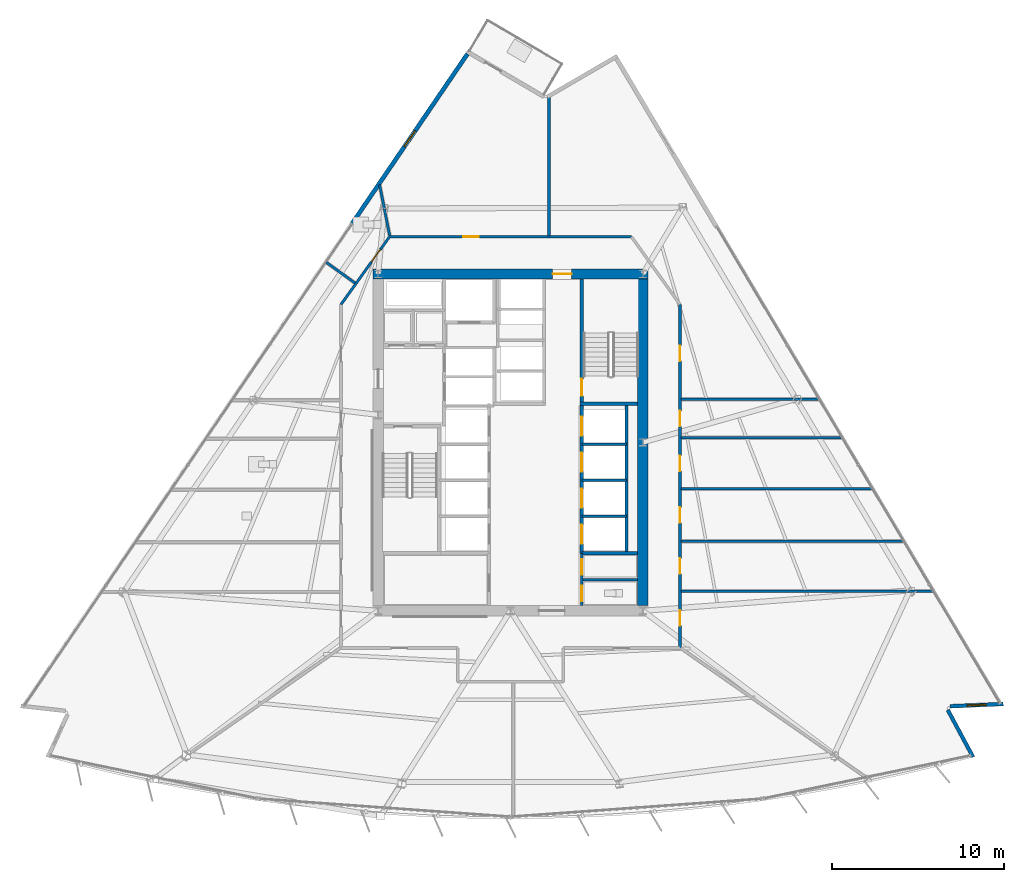
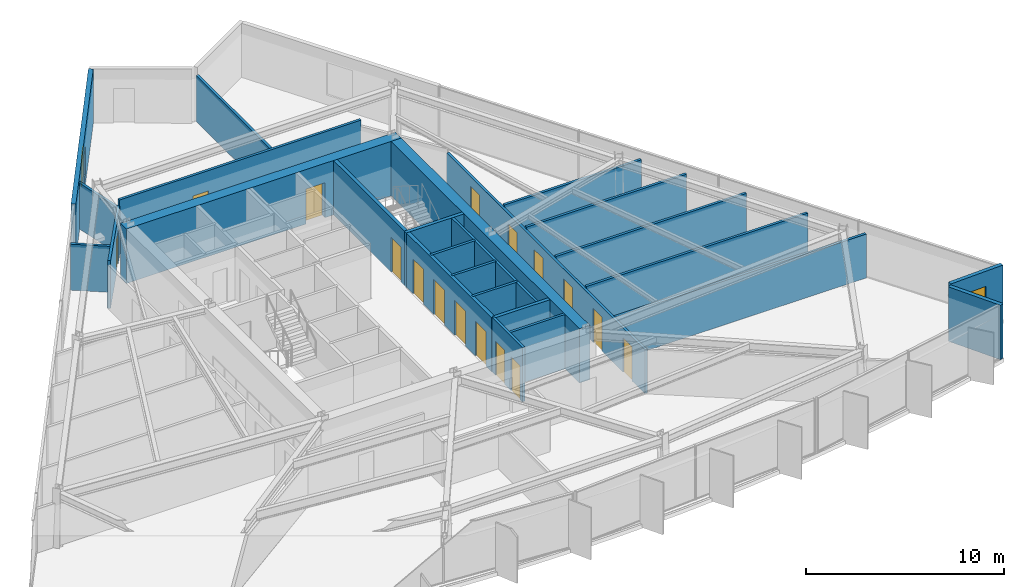
# One storey, part 9 of 15: 26 walls, 16 doors, 2 windows, 18 openings.
"""IFC4 building model written with IfcOpenShell, lengths in metres."""

from ifc_helpers import new_model, si_unit, direction, frame, frame_2d, origin, place, context, subcontext, project, spatial, rectangle, extrude, material, layer, layer_set, type_object, element, fill, save


model = new_model("IFC4")

# Units and contexts
model_context = context("Model", 3, precision=1e-05, world=origin(), true_north=direction((0.0, 1.0)))
body_context = subcontext(model_context, "Body", "Model", "MODEL_VIEW")
ifc_project = project(units=[si_unit("LENGTHUNIT", "METRE"), si_unit("AREAUNIT", "SQUARE_METRE"), si_unit("VOLUMEUNIT", "CUBIC_METRE"), si_unit("PLANEANGLEUNIT", "RADIAN"), si_unit("MASSUNIT", "GRAM", prefix="KILO")], contexts=[model_context])

# Site, building, storey
site_placement = place(None, origin())
site = spatial("IfcSite", under=ifc_project, at=site_placement, CompositionType="ELEMENT")
building_placement = place(site_placement, origin())
building = spatial("IfcBuilding", under=site, at=building_placement, Name="Savorim Split Tower", CompositionType="ELEMENT")
storey_placement = place(building_placement, frame((0.0, 0.0, 100.5)))
storey = spatial("IfcBuildingStorey", under=building, at=storey_placement, Name="L26", CompositionType="ELEMENT", Elevation=100.5)

# Wall, opening, door
ifc_material_1 = material(Name="Concrete C60/75", Category="concrete")
ifc_layer_1 = layer(ifc_material_1, 0.60009765625)
ifc_layer_set_1 = layer_set([ifc_layer_1], Name="WAL-COR-SH600")
wall_type_1 = type_object("IfcWallType", Name="WAL-COR-SH600", PredefinedType="SHEAR", material=ifc_layer_set_1)
wall_1_placement = place(storey_placement, frame((8.0, 10.199951171875, 0.0), z_axis=(0.0, 0.0, 1.0), x_axis=(-1.0, 0.0, 0.0)))
wall_1 = element("IfcWall", 1, at=wall_1_placement, inside=storey, type_object=wall_type_1, Name="L26 Offset Core North Shear Wall", PredefinedType="SHEAR", context=body_context, shape_type="SweptSolid", body=[
    extrude(rectangle(XDim=16.0, YDim=0.60009765625, at=frame_2d((8.0, 0.0))), origin(), (0.0, 0.0, 1.0), 3.35009765625),
])
opening_1_placement = place(wall_1_placement, frame((4.449951171875, 0.0, 0.0)))
opening_1 = element("IfcOpeningElement", 2, at=opening_1_placement, cuts=wall_1, Name="Opening DI-03", PredefinedType="OPENING", context=body_context, shape_type="SweptSolid", body=[
    extrude(rectangle(XDim=1.10009765625, YDim=2.14990234375, at=frame_2d((0.550048828125, 1.074951171875))), frame((0.0, 0.31005859375, 0.0), z_axis=(0.0, -1.0, 0.0), x_axis=(1.0, 0.0, 0.0)), (0.0, 0.0, 1.0), 0.6201171875),
])
ifc_material_2 = material(Name="Timber Fire Door Leaf", Category="wood")
door_type_1 = type_object("IfcDoorType", Name="DOR-FIR-1100", OperationType="NOTDEFINED", PredefinedType="DOOR", material=ifc_material_2)
door_1_placement = place(opening_1_placement, origin())
door_1 = element("IfcDoor", 3, at=door_1_placement, inside=storey, type_object=door_type_1, Name="DOR-L26-COR-NLOB - L26 North Corridor Lobby Fire Door", OperationType="SINGLE_SWING_LEFT", OverallHeight=2.14990234375, OverallWidth=1.10009765625, PredefinedType="DOOR", context=body_context, shape_type="SweptSolid", body=[
    extrude(rectangle(XDim=1.10009765625, YDim=2.14990234375, at=frame_2d((0.550048828125, 1.074951171875))), frame((0.0, 0.02490234375, 0.0), z_axis=(0.0, -1.0, 0.0), x_axis=(1.0, 0.0, 0.0)), (0.0, 0.0, 1.0), 0.050048828125),
])
fill(opening_1, door_1)

# Walls
wall_2_placement = place(storey_placement, frame((7.699951171875, 9.89990234375, 0.0), z_axis=(0.0, 0.0, 1.0), x_axis=(0.0, -1.0, 0.0)))
element("IfcWall", 4, at=wall_2_placement, inside=storey, type_object=wall_type_1, Name="L26 Offset Core East Shear Wall", PredefinedType="SHEAR", context=body_context, shape_type="SweptSolid", body=[
    extrude(rectangle(XDim=19.0, YDim=0.60009765625, at=frame_2d((9.5, 0.0))), origin(), (0.0, 0.0, 1.0), 3.35009765625),
])
ifc_material_3 = material(Name="Precast concrete C40/50", Category="concrete")
ifc_layer_2 = layer(ifc_material_3, 0.219970703125)
ifc_layer_set_2 = layer_set([ifc_layer_2], Name="WAL-EXT-CRN220")
wall_type_2 = type_object("IfcWallType", Name="WAL-EXT-CRN220", PredefinedType="SOLIDWALL", material=ifc_layer_set_2)
wall_3_placement = place(storey_placement, frame((25.44189453125, -15.164794921875, 0.0), z_axis=(0.0, 0.0, 1.0), x_axis=(0.472811757317, -0.881163459378, 0.0)))
element("IfcWall", 5, at=wall_3_placement, inside=storey, type_object=wall_type_2, Name="L26 Notched Corner Facade Wall SE1", PredefinedType="SOLIDWALL", context=body_context, shape_type="SweptSolid", body=[
    extrude(rectangle(XDim=3.109619140625, YDim=0.219970703125, at=frame_2d((1.5546875, 0.0))), origin(), (0.0, 0.0, 1.0), 3.35009765625),
])

# Wall, opening, window
wall_4_placement = place(storey_placement, frame((28.667236328125, -14.819091796875, 0.0), z_axis=(0.0, 0.0, 1.0), x_axis=(-0.99909228571, -0.042598176436, 0.0)))
wall_4 = element("IfcWall", 6, at=wall_4_placement, inside=storey, type_object=wall_type_2, Name="L26 Notched Corner Facade Wall SE", PredefinedType="SOLIDWALL", context=body_context, shape_type="SweptSolid", body=[
    extrude(rectangle(XDim=3.1064453125, YDim=0.219970703125, at=frame_2d((1.55322265625, 0.0))), origin(), (0.0, 0.0, 1.0), 3.35009765625),
])
opening_2_placement = place(wall_4_placement, frame((1.003173828125, 0.0, 0.6201171875)))
opening_2 = element("IfcOpeningElement", 7, at=opening_2_placement, cuts=wall_4, Name="Opening WN-09", PredefinedType="OPENING", context=body_context, shape_type="SweptSolid", body=[
    extrude(rectangle(XDim=1.10009765625, YDim=1.800048828125, at=frame_2d((0.550048828125, 0.89990234375))), frame((0.0, 0.119873046875, 0.0), z_axis=(0.0, -1.0, 0.0), x_axis=(1.0, 0.0, 0.0)), (0.0, 0.0, 1.0), 0.239990234375),
])
ifc_material_4 = material(Name="Low-E Operable Double Glazing", Category="glass")
window_type = type_object("IfcWindowType", Name="WIN-TWR-1100x1800", PartitioningType="SINGLE_PANEL", PredefinedType="WINDOW", material=ifc_material_4)
window_1_placement = place(opening_2_placement, origin())
window_1 = element("IfcWindow", 8, at=window_1_placement, inside=storey, type_object=window_type, Name="L26 Operable Corner Window SE", OverallHeight=1.800048828125, OverallWidth=1.10009765625, PartitioningType="SINGLE_PANEL", PredefinedType="WINDOW", context=body_context, shape_type="SweptSolid", body=[
    extrude(rectangle(XDim=1.10009765625, YDim=1.800048828125, at=frame_2d((0.550048828125, 0.89990234375))), frame((0.0, 0.030029296875, 0.0), z_axis=(0.0, -1.0, 0.0), x_axis=(1.0, 0.0, 0.0)), (0.0, 0.0, 1.0), 0.06005859375),
])
fill(opening_2, window_1)

ifc_layer_3 = layer(ifc_material_3, 0.25)
ifc_layer_set_3 = layer_set([ifc_layer_3], Name="WAL-EXT-SPN250")
wall_type_3 = type_object("IfcWallType", Name="WAL-EXT-SPN250", PredefinedType="SOLIDWALL", material=ifc_layer_set_3)
wall_5_placement = place(storey_placement, frame((-9.21728515625, 13.135986328125, 0.0), z_axis=(0.0, 0.0, 1.0), x_axis=(0.562468998305, 0.826818375428, 0.0)))
wall_5 = element("IfcWall", 9, at=wall_5_placement, inside=storey, type_object=wall_type_3, Name="L26 West Operable Window Pier", PredefinedType="SOLIDWALL", context=body_context, shape_type="SweptSolid", body=[
    extrude(rectangle(XDim=11.9287109375, YDim=0.25, at=frame_2d((5.96435546875, 0.0))), origin(), (0.0, 0.0, 1.0), 3.35009765625),
])
opening_3_placement = place(wall_5_placement, frame((5.414306640625, 0.0, 0.6201171875)))
opening_3 = element("IfcOpeningElement", 10, at=opening_3_placement, cuts=wall_5, Name="Opening WN-09", PredefinedType="OPENING", context=body_context, shape_type="SweptSolid", body=[
    extrude(rectangle(XDim=1.10009765625, YDim=1.800048828125, at=frame_2d((0.550048828125, 0.89990234375))), frame((0.0, 0.135009765625, 0.0), z_axis=(0.0, -1.0, 0.0), x_axis=(1.0, 0.0, 0.0)), (0.0, 0.0, 1.0), 0.27001953125),
])
window_2_placement = place(opening_3_placement, origin())
window_2 = element("IfcWindow", 11, at=window_2_placement, inside=storey, type_object=window_type, Name="L26 West Operable Ventilation Window", OverallHeight=1.800048828125, OverallWidth=1.10009765625, PartitioningType="SINGLE_PANEL", PredefinedType="WINDOW", context=body_context, shape_type="SweptSolid", body=[
    extrude(rectangle(XDim=1.10009765625, YDim=1.800048828125, at=frame_2d((0.550048828125, 0.89990234375))), frame((0.0, 0.030029296875, 0.0), z_axis=(0.0, -1.0, 0.0), x_axis=(1.0, 0.0, 0.0)), (0.0, 0.0, 1.0), 0.06005859375),
])
fill(opening_3, window_2)

# Wall, opening, door
ifc_material_5 = material(Name="Concrete C50/60", Category="concrete")
ifc_layer_4 = layer(ifc_material_5, 0.199951171875)
ifc_layer_set_4 = layer_set([ifc_layer_4], Name="WAL-INT-RC200")
wall_type_4 = type_object("IfcWallType", Name="WAL-INT-RC200", PredefinedType="SOLIDWALL", material=ifc_layer_set_4)
wall_6_placement = place(storey_placement, frame((4.14990234375, 2.75, 0.0), z_axis=(0.0, 0.0, 1.0), x_axis=(0.0, 1.0, 0.0)))
wall_6 = element("IfcWall", 12, at=wall_6_placement, inside=storey, type_object=wall_type_4, Name="L26 Structural Shaft Wall W-L26-CR07", PredefinedType="SOLIDWALL", context=body_context, shape_type="SweptSolid", body=[
    extrude(rectangle(XDim=7.14990234375, YDim=0.199951171875, at=frame_2d((3.574951171875, 0.0))), origin(), (0.0, 0.0, 1.0), 3.35009765625),
])
opening_4_placement = place(wall_6_placement, frame((0.35009765625, 0.0, 0.0)))
opening_4 = element("IfcOpeningElement", 13, at=opening_4_placement, cuts=wall_6, Name="Opening DI-04", PredefinedType="OPENING", context=body_context, shape_type="SweptSolid", body=[
    extrude(rectangle(XDim=1.0, YDim=2.14990234375, at=frame_2d((0.5, 1.074951171875))), frame((0.0, 0.10986328125, 0.0), z_axis=(0.0, -1.0, 0.0), x_axis=(1.0, 0.0, 0.0)), (0.0, 0.0, 1.0), 0.219970703125),
])
door_type_2 = type_object("IfcDoorType", Name="DOR-FIR-1000", OperationType="NOTDEFINED", PredefinedType="DOOR", material=ifc_material_2)
door_2_placement = place(opening_4_placement, origin())
door_2 = element("IfcDoor", 14, at=door_2_placement, inside=storey, type_object=door_type_2, Name="DR-L26-ST2 - L26 Stair ST-2 Enclosure Door", OperationType="SINGLE_SWING_RIGHT", OverallHeight=2.14990234375, OverallWidth=1.0, PredefinedType="DOOR", context=body_context, shape_type="SweptSolid", body=[
    extrude(rectangle(XDim=1.0, YDim=2.14990234375, at=frame_2d((0.5, 1.074951171875))), frame((0.0, 0.02490234375, 0.0), z_axis=(0.0, -1.0, 0.0), x_axis=(1.0, 0.0, 0.0)), (0.0, 0.0, 1.0), 0.050048828125),
])
fill(opening_4, door_2)

# Wall
wall_7_placement = place(storey_placement, frame((4.050048828125, 2.64990234375, 0.0), z_axis=(0.0, 0.0, 1.0), x_axis=(1.0, 0.0, 0.0)))
element("IfcWall", 15, at=wall_7_placement, inside=storey, type_object=wall_type_4, Name="L26 Structural Shaft Wall W-L26-CR08", PredefinedType="SOLIDWALL", context=body_context, shape_type="SweptSolid", body=[
    extrude(rectangle(XDim=3.349853515625, YDim=0.199951171875, at=frame_2d((1.6748046875, 0.0))), origin(), (0.0, 0.0, 1.0), 3.35009765625),
])

# Wall, openings, doors
wall_8_placement = place(storey_placement, frame((4.14990234375, -6.050048828125, 0.0), z_axis=(0.0, 0.0, 1.0), x_axis=(0.0, 1.0, 0.0)))
wall_8 = element("IfcWall", 16, at=wall_8_placement, inside=storey, type_object=wall_type_4, Name="L26 Partition W-L26-B1FRONT", PredefinedType="SOLIDWALL", context=body_context, shape_type="SweptSolid", body=[
    extrude(rectangle(XDim=8.699951171875, YDim=0.199951171875, at=frame_2d((4.35009765625, 0.0))), origin(), (0.0, 0.0, 1.0), 3.35009765625),
])
opening_5_placement = place(wall_8_placement, frame((0.550048828125, 0.0, 0.0)))
opening_5 = element("IfcOpeningElement", 17, at=opening_5_placement, cuts=wall_8, Name="Opening LD-01", PredefinedType="OPENING", context=body_context, shape_type="SweptSolid", body=[
    extrude(rectangle(XDim=1.10009765625, YDim=2.14990234375, at=frame_2d((0.550048828125, 1.074951171875))), frame((0.0, 0.10986328125, 0.0), z_axis=(0.0, -1.0, 0.0), x_axis=(1.0, 0.0, 0.0)), (0.0, 0.0, 1.0), 0.219970703125),
])
opening_6_placement = place(wall_8_placement, frame((2.64990234375, 0.0, 0.0)))
opening_6 = element("IfcOpeningElement", 18, at=opening_6_placement, cuts=wall_8, Name="Opening LD-01", PredefinedType="OPENING", context=body_context, shape_type="SweptSolid", body=[
    extrude(rectangle(XDim=1.10009765625, YDim=2.14990234375, at=frame_2d((0.550048828125, 1.074951171875))), frame((0.0, 0.10986328125, 0.0), z_axis=(0.0, -1.0, 0.0), x_axis=(1.0, 0.0, 0.0)), (0.0, 0.0, 1.0), 0.219970703125),
])
opening_7_placement = place(wall_8_placement, frame((4.75, 0.0, 0.0)))
opening_7 = element("IfcOpeningElement", 19, at=opening_7_placement, cuts=wall_8, Name="Opening LD-01", PredefinedType="OPENING", context=body_context, shape_type="SweptSolid", body=[
    extrude(rectangle(XDim=1.10009765625, YDim=2.14990234375, at=frame_2d((0.550048828125, 1.074951171875))), frame((0.0, 0.10986328125, 0.0), z_axis=(0.0, -1.0, 0.0), x_axis=(1.0, 0.0, 0.0)), (0.0, 0.0, 1.0), 0.219970703125),
])
opening_8_placement = place(wall_8_placement, frame((6.85009765625, 0.0, 0.0)))
opening_8 = element("IfcOpeningElement", 20, at=opening_8_placement, cuts=wall_8, Name="Opening LD-01", PredefinedType="OPENING", context=body_context, shape_type="SweptSolid", body=[
    extrude(rectangle(XDim=1.10009765625, YDim=2.14990234375, at=frame_2d((0.550048828125, 1.074951171875))), frame((0.0, 0.10986328125, 0.0), z_axis=(0.0, -1.0, 0.0), x_axis=(1.0, 0.0, 0.0)), (0.0, 0.0, 1.0), 0.219970703125),
])
ifc_material_6 = material(Name="Charcoal Anodised Aluminium", Category="aluminium")
door_type_3 = type_object("IfcDoorType", Name="DOR-SLD-LD1100", OperationType="NOTDEFINED", PredefinedType="DOOR", material=ifc_material_6)
door_3_placement = place(opening_5_placement, origin())
door_3 = element("IfcDoor", 21, at=door_3_placement, inside=storey, type_object=door_type_3, Name="DR-L26-LD-PLL1 - L26 Lift PL-L1 Sliding Landing Door", OperationType="DOUBLE_DOOR_SLIDING", OverallHeight=2.14990234375, OverallWidth=1.10009765625, PredefinedType="DOOR", context=body_context, shape_type="SweptSolid", body=[
    extrude(rectangle(XDim=1.10009765625, YDim=2.14990234375, at=frame_2d((0.550048828125, 1.074951171875))), frame((0.0, 0.02490234375, 0.0), z_axis=(0.0, -1.0, 0.0), x_axis=(1.0, 0.0, 0.0)), (0.0, 0.0, 1.0), 0.050048828125),
])
fill(opening_5, door_3)
door_4_placement = place(opening_6_placement, origin())
door_4 = element("IfcDoor", 22, at=door_4_placement, inside=storey, type_object=door_type_3, Name="DR-L26-LD-PLL2 - L26 Lift PL-L2 Sliding Landing Door", OperationType="DOUBLE_DOOR_SLIDING", OverallHeight=2.14990234375, OverallWidth=1.10009765625, PredefinedType="DOOR", context=body_context, shape_type="SweptSolid", body=[
    extrude(rectangle(XDim=1.10009765625, YDim=2.14990234375, at=frame_2d((0.550048828125, 1.074951171875))), frame((0.0, 0.02490234375, 0.0), z_axis=(0.0, -1.0, 0.0), x_axis=(1.0, 0.0, 0.0)), (0.0, 0.0, 1.0), 0.050048828125),
])
fill(opening_6, door_4)
door_5_placement = place(opening_7_placement, origin())
door_5 = element("IfcDoor", 23, at=door_5_placement, inside=storey, type_object=door_type_3, Name="DR-L26-LD-PLL3 - L26 Lift PL-L3 Sliding Landing Door", OperationType="DOUBLE_DOOR_SLIDING", OverallHeight=2.14990234375, OverallWidth=1.10009765625, PredefinedType="DOOR", context=body_context, shape_type="SweptSolid", body=[
    extrude(rectangle(XDim=1.10009765625, YDim=2.14990234375, at=frame_2d((0.550048828125, 1.074951171875))), frame((0.0, 0.02490234375, 0.0), z_axis=(0.0, -1.0, 0.0), x_axis=(1.0, 0.0, 0.0)), (0.0, 0.0, 1.0), 0.050048828125),
])
fill(opening_7, door_5)
door_6_placement = place(opening_8_placement, origin())
door_6 = element("IfcDoor", 24, at=door_6_placement, inside=storey, type_object=door_type_3, Name="DR-L26-LD-PLL4 - L26 Lift PL-L4 Sliding Landing Door", OperationType="DOUBLE_DOOR_SLIDING", OverallHeight=2.14990234375, OverallWidth=1.10009765625, PredefinedType="DOOR", context=body_context, shape_type="SweptSolid", body=[
    extrude(rectangle(XDim=1.10009765625, YDim=2.14990234375, at=frame_2d((0.550048828125, 1.074951171875))), frame((0.0, 0.02490234375, 0.0), z_axis=(0.0, -1.0, 0.0), x_axis=(1.0, 0.0, 0.0)), (0.0, 0.0, 1.0), 0.050048828125),
])
fill(opening_8, door_6)

# Walls
wall_9_placement = place(storey_placement, frame((4.14990234375, -6.050048828125, 0.0), z_axis=(0.0, 0.0, 1.0), x_axis=(1.0, 0.0, 0.0)))
element("IfcWall", 25, at=wall_9_placement, inside=storey, type_object=wall_type_4, Name="L26 Partition W-L26-KSEP-E", PredefinedType="SOLIDWALL", context=body_context, shape_type="SweptSolid", body=[
    extrude(rectangle(XDim=3.2451171875, YDim=0.199951171875, at=frame_2d((1.62255859375, 0.0))), origin(), (0.0, 0.0, 1.0), 3.35009765625),
])
ifc_material_7 = material(Name="Acoustic Gypsum Partition Board")
ifc_layer_5 = layer(ifc_material_7, 0.14990234375)
ifc_layer_set_5 = layer_set([ifc_layer_5], Name="WAL-PAR-150")
wall_type_5 = type_object("IfcWallType", Name="WAL-PAR-150", PredefinedType="PARTITIONING", material=ifc_layer_set_5)
wall_10_placement = place(storey_placement, frame((6.75, -6.050048828125, 0.0), z_axis=(0.0, 0.0, 1.0), x_axis=(0.0, 1.0, 0.0)))
element("IfcWall", 26, at=wall_10_placement, inside=storey, type_object=wall_type_5, Name="L26 Partition W-L26-B1BACK", PredefinedType="PARTITIONING", context=body_context, shape_type="SweptSolid", body=[
    extrude(rectangle(XDim=8.699951171875, YDim=0.14990234375, at=frame_2d((4.35009765625, 0.0))), origin(), (0.0, 0.0, 1.0), 3.35009765625),
])
for number, where, z_axis, x_axis, name in (
    (27, (4.14990234375, -3.89990234375, 0.0), (0.0, 0.0, 1.0), (1.0, 0.0, 0.0), "L26 Partition W-L26-B1DIV1"),
    (28, (4.14990234375, -1.800048828125, 0.0), (0.0, 0.0, 1.0), (1.0, 0.0, 0.0), "L26 Partition W-L26-B1DIV2"),
    (29, (4.14990234375, 0.300048828125, 0.0), (0.0, 0.0, 1.0), (1.0, 0.0, 0.0), "L26 Partition W-L26-B1DIV3"),
):
    element("IfcWall", number, at=place(storey_placement, frame(where, z_axis=z_axis, x_axis=x_axis)), inside=storey, type_object=wall_type_5, Name=name, PredefinedType="PARTITIONING", context=body_context, shape_type="SweptSolid", body=[
        extrude(rectangle(XDim=2.60009765625, YDim=0.14990234375, at=frame_2d((1.300048828125, 0.0))), origin(), (0.0, 0.0, 1.0), 3.35009765625),
    ])

# Wall, openings, doors
wall_11_placement = place(storey_placement, frame((4.14990234375, -9.094970703125, 0.0), z_axis=(0.0, 0.0, 1.0), x_axis=(0.0, 1.0, 0.0)))
wall_11 = element("IfcWall", 30, at=wall_11_placement, inside=storey, type_object=wall_type_5, Name="L26 Partition W-L26-KLOB-E", PredefinedType="PARTITIONING", context=body_context, shape_type="SweptSolid", body=[
    extrude(rectangle(XDim=3.044921875, YDim=0.14990234375, at=frame_2d((1.5224609375, 0.0))), origin(), (0.0, 0.0, 1.0), 3.35009765625),
])
opening_9_placement = place(wall_11_placement, frame((0.2451171875, 0.0, 0.0)))
opening_9 = element("IfcOpeningElement", 31, at=opening_9_placement, cuts=wall_11, Name="Opening DI-11", PredefinedType="OPENING", context=body_context, shape_type="SweptSolid", body=[
    extrude(rectangle(XDim=0.89990234375, YDim=2.10009765625, at=frame_2d((0.449951171875, 1.050048828125))), frame((0.0, 0.0849609375, 0.0), z_axis=(0.0, -1.0, 0.0), x_axis=(1.0, 0.0, 0.0)), (0.0, 0.0, 1.0), 0.169921875),
])
opening_10_placement = place(wall_11_placement, frame((1.794921875, 0.0, 0.0)))
opening_10 = element("IfcOpeningElement", 32, at=opening_10_placement, cuts=wall_11, Name="Opening DI-06", PredefinedType="OPENING", context=body_context, shape_type="SweptSolid", body=[
    extrude(rectangle(XDim=0.89990234375, YDim=2.10009765625, at=frame_2d((0.449951171875, 1.050048828125))), frame((0.0, 0.0849609375, 0.0), z_axis=(0.0, -1.0, 0.0), x_axis=(1.0, 0.0, 0.0)), (0.0, 0.0, 1.0), 0.169921875),
])
door_type_4 = type_object("IfcDoorType", Name="DOR-FIR-900", OperationType="NOTDEFINED", PredefinedType="DOOR", material=ifc_material_2)
door_7_placement = place(opening_10_placement, origin())
door_7 = element("IfcDoor", 33, at=door_7_placement, inside=storey, type_object=door_type_4, Name="DR-L26-K3LCK - L26 Cleaning Store Door", OperationType="SINGLE_SWING_LEFT", OverallHeight=2.10009765625, OverallWidth=0.89990234375, PredefinedType="DOOR", context=body_context, shape_type="SweptSolid", body=[
    extrude(rectangle(XDim=0.89990234375, YDim=2.10009765625, at=frame_2d((0.449951171875, 1.050048828125))), frame((0.0, 0.02490234375, 0.0), z_axis=(0.0, -1.0, 0.0), x_axis=(1.0, 0.0, 0.0)), (0.0, 0.0, 1.0), 0.050048828125),
])
fill(opening_10, door_7)
ifc_material_8 = material(Name="Oak Veneer Acoustic Door")
door_type_5 = type_object("IfcDoorType", Name="DOR-WC-900", OperationType="NOTDEFINED", PredefinedType="DOOR", material=ifc_material_8)
door_8_placement = place(opening_9_placement, origin())
door_8 = element("IfcDoor", 34, at=door_8_placement, inside=storey, type_object=door_type_5, Name="DR-L26-K3AWC - L26 Core Accessible WC Door", OperationType="SINGLE_SWING_RIGHT", OverallHeight=2.10009765625, OverallWidth=0.89990234375, PredefinedType="DOOR", context=body_context, shape_type="SweptSolid", body=[
    extrude(rectangle(XDim=0.89990234375, YDim=2.10009765625, at=frame_2d((0.449951171875, 1.050048828125))), frame((0.0, 0.02490234375, 0.0), z_axis=(0.0, -1.0, 0.0), x_axis=(1.0, 0.0, 0.0)), (0.0, 0.0, 1.0), 0.050048828125),
])
fill(opening_9, door_8)

# Wall
wall_12_placement = place(storey_placement, frame((4.14990234375, -7.580078125, 0.0), z_axis=(0.0, 0.0, 1.0), x_axis=(1.0, 0.0, 0.0)))
element("IfcWall", 35, at=wall_12_placement, inside=storey, type_object=wall_type_5, Name="L26 Partition W-L26-K3H", PredefinedType="PARTITIONING", context=body_context, shape_type="SweptSolid", body=[
    extrude(rectangle(XDim=3.2451171875, YDim=0.14990234375, at=frame_2d((1.62255859375, 0.0))), origin(), (0.0, 0.0, 1.0), 3.35009765625),
])

# Wall, opening, door
wall_13_placement = place(storey_placement, frame((-9.860107421875, 8.42578125, 0.0), z_axis=(0.0, 0.0, 1.0), x_axis=(0.582449511476, 0.812866881218, 0.0)))
wall_13 = element("IfcWall", 36, at=wall_13_placement, inside=storey, type_object=wall_type_5, Name="L26 Partition W-L26-COR-02", PredefinedType="PARTITIONING", context=body_context, shape_type="SweptSolid", body=[
    extrude(rectangle(XDim=4.840087890625, YDim=0.14990234375, at=frame_2d((2.419921875, 0.0))), origin(), (0.0, 0.0, 1.0), 2.965087890625),
])
opening_11_placement = place(wall_13_placement, frame((3.046142578125, 0.0, 0.0)))
opening_11 = element("IfcOpeningElement", 37, at=opening_11_placement, cuts=wall_13, Name="Opening DI-11", PredefinedType="OPENING", context=body_context, shape_type="SweptSolid", body=[
    extrude(rectangle(XDim=0.89990234375, YDim=2.10009765625, at=frame_2d((0.449951171875, 1.050048828125))), frame((0.0, 0.0849609375, 0.0), z_axis=(0.0, -1.0, 0.0), x_axis=(1.0, 0.0, 0.0)), (0.0, 0.0, 1.0), 0.169921875),
])
door_9_placement = place(opening_11_placement, origin())
door_9 = element("IfcDoor", 38, at=door_9_placement, inside=storey, type_object=door_type_5, Name="DR-L26-RM14 - L26 Shared Bathroom Entry Door", OperationType="SINGLE_SWING_LEFT", OverallHeight=2.10009765625, OverallWidth=0.89990234375, PredefinedType="DOOR", context=body_context, shape_type="SweptSolid", body=[
    extrude(rectangle(XDim=0.89990234375, YDim=2.10009765625, at=frame_2d((0.449951171875, 1.050048828125))), frame((0.0, 0.02490234375, 0.0), z_axis=(0.0, -1.0, 0.0), x_axis=(1.0, 0.0, 0.0)), (0.0, 0.0, 1.0), 0.050048828125),
])
fill(opening_11, door_9)

wall_14_placement = place(storey_placement, frame((-7.041015625, 12.360107421875, 0.0), z_axis=(0.0, 0.0, 1.0), x_axis=(1.0, 0.0, 0.0)))
wall_14 = element("IfcWall", 39, at=wall_14_placement, inside=storey, type_object=wall_type_5, Name="L26 Partition W-L26-COR-03", PredefinedType="PARTITIONING", context=body_context, shape_type="SweptSolid", body=[
    extrude(rectangle(XDim=14.08203125, YDim=0.14990234375, at=frame_2d((7.041015625, 0.0))), origin(), (0.0, 0.0, 1.0), 3.35009765625),
])
opening_12_placement = place(wall_14_placement, frame((4.28076171875, 0.0, 0.0)))
opening_12 = element("IfcOpeningElement", 40, at=opening_12_placement, cuts=wall_14, Name="Opening DI-06", PredefinedType="OPENING", context=body_context, shape_type="SweptSolid", body=[
    extrude(rectangle(XDim=0.89990234375, YDim=2.10009765625, at=frame_2d((0.449951171875, 1.050048828125))), frame((0.0, 0.0849609375, 0.0), z_axis=(0.0, -1.0, 0.0), x_axis=(1.0, 0.0, 0.0)), (0.0, 0.0, 1.0), 0.169921875),
])
door_10_placement = place(opening_12_placement, origin())
door_10 = element("IfcDoor", 41, at=door_10_placement, inside=storey, type_object=door_type_4, Name="DR-L26-RM13 - L26 Co-Working Commons Entry Door", OperationType="SINGLE_SWING_RIGHT", OverallHeight=2.10009765625, OverallWidth=0.89990234375, PredefinedType="DOOR", context=body_context, shape_type="SweptSolid", body=[
    extrude(rectangle(XDim=0.89990234375, YDim=2.10009765625, at=frame_2d((0.449951171875, 1.050048828125))), frame((0.0, 0.02490234375, 0.0), z_axis=(0.0, -1.0, 0.0), x_axis=(1.0, 0.0, 0.0)), (0.0, 0.0, 1.0), 0.050048828125),
])
fill(opening_12, door_10)

# Wall, openings, doors
wall_15_placement = place(storey_placement, frame((9.860107421875, 8.42578125, 0.0), z_axis=(0.0, 0.0, 1.0), x_axis=(0.0, -1.0, 0.0)))
wall_15 = element("IfcWall", 42, at=wall_15_placement, inside=storey, type_object=wall_type_5, Name="L26 Partition W-L26-COR-05", PredefinedType="PARTITIONING", context=body_context, shape_type="SweptSolid", body=[
    extrude(rectangle(XDim=19.98583984375, YDim=0.14990234375, at=frame_2d((9.992919921875, 0.0))), origin(), (0.0, 0.0, 1.0), 2.705078125),
])
opening_13_placement = place(wall_15_placement, frame((17.79150390625, 0.0, 0.0)))
opening_13 = element("IfcOpeningElement", 43, at=opening_13_placement, cuts=wall_15, Name="Opening DI-06", PredefinedType="OPENING", context=body_context, shape_type="SweptSolid", body=[
    extrude(rectangle(XDim=0.89990234375, YDim=2.10009765625, at=frame_2d((0.449951171875, 1.050048828125))), frame((0.0, 0.0849609375, 0.0), z_axis=(0.0, -1.0, 0.0), x_axis=(1.0, 0.0, 0.0)), (0.0, 0.0, 1.0), 0.169921875),
])
opening_14_placement = place(wall_15_placement, frame((14.777587890625, 0.0, 0.0)))
opening_14 = element("IfcOpeningElement", 44, at=opening_14_placement, cuts=wall_15, Name="Opening DI-06", PredefinedType="OPENING", context=body_context, shape_type="SweptSolid", body=[
    extrude(rectangle(XDim=0.89990234375, YDim=2.10009765625, at=frame_2d((0.449951171875, 1.050048828125))), frame((0.0, 0.0849609375, 0.0), z_axis=(0.0, -1.0, 0.0), x_axis=(1.0, 0.0, 0.0)), (0.0, 0.0, 1.0), 0.169921875),
])
opening_15_placement = place(wall_15_placement, frame((11.8056640625, 0.0, 0.0)))
opening_15 = element("IfcOpeningElement", 45, at=opening_15_placement, cuts=wall_15, Name="Opening DI-06", PredefinedType="OPENING", context=body_context, shape_type="SweptSolid", body=[
    extrude(rectangle(XDim=0.89990234375, YDim=2.10009765625, at=frame_2d((0.449951171875, 1.050048828125))), frame((0.0, 0.0849609375, 0.0), z_axis=(0.0, -1.0, 0.0), x_axis=(1.0, 0.0, 0.0)), (0.0, 0.0, 1.0), 0.169921875),
])
opening_16_placement = place(wall_15_placement, frame((8.7958984375, 0.0, 0.0)))
opening_16 = element("IfcOpeningElement", 46, at=opening_16_placement, cuts=wall_15, Name="Opening DI-06", PredefinedType="OPENING", context=body_context, shape_type="SweptSolid", body=[
    extrude(rectangle(XDim=0.89990234375, YDim=2.10009765625, at=frame_2d((0.449951171875, 1.050048828125))), frame((0.0, 0.0849609375, 0.0), z_axis=(0.0, -1.0, 0.0), x_axis=(1.0, 0.0, 0.0)), (0.0, 0.0, 1.0), 0.169921875),
])
opening_17_placement = place(wall_15_placement, frame((6.189697265625, 0.0, 0.0)))
opening_17 = element("IfcOpeningElement", 47, at=opening_17_placement, cuts=wall_15, Name="Opening DI-06", PredefinedType="OPENING", context=body_context, shape_type="SweptSolid", body=[
    extrude(rectangle(XDim=0.89990234375, YDim=2.10009765625, at=frame_2d((0.449951171875, 1.050048828125))), frame((0.0, 0.0849609375, 0.0), z_axis=(0.0, -1.0, 0.0), x_axis=(1.0, 0.0, 0.0)), (0.0, 0.0, 1.0), 0.169921875),
])
opening_18_placement = place(wall_15_placement, frame((2.398681640625, 0.0, 0.0)))
opening_18 = element("IfcOpeningElement", 48, at=opening_18_placement, cuts=wall_15, Name="Opening DI-06", PredefinedType="OPENING", context=body_context, shape_type="SweptSolid", body=[
    extrude(rectangle(XDim=0.89990234375, YDim=2.10009765625, at=frame_2d((0.449951171875, 1.050048828125))), frame((0.0, 0.0849609375, 0.0), z_axis=(0.0, -1.0, 0.0), x_axis=(1.0, 0.0, 0.0)), (0.0, 0.0, 1.0), 0.169921875),
])
door_11_placement = place(opening_13_placement, origin())
door_11 = element("IfcDoor", 49, at=door_11_placement, inside=storey, type_object=door_type_4, Name="DR-L26-RM07 - L26 Co-Working Commons Entry Door", OperationType="SINGLE_SWING_RIGHT", OverallHeight=2.10009765625, OverallWidth=0.89990234375, PredefinedType="DOOR", context=body_context, shape_type="SweptSolid", body=[
    extrude(rectangle(XDim=0.89990234375, YDim=2.10009765625, at=frame_2d((0.449951171875, 1.050048828125))), frame((0.0, 0.02490234375, 0.0), z_axis=(0.0, -1.0, 0.0), x_axis=(1.0, 0.0, 0.0)), (0.0, 0.0, 1.0), 0.050048828125),
])
fill(opening_13, door_11)
door_12_placement = place(opening_14_placement, origin())
door_12 = element("IfcDoor", 50, at=door_12_placement, inside=storey, type_object=door_type_4, Name="DR-L26-RM08 - L26 Co-Working Commons Entry Door", OperationType="SINGLE_SWING_LEFT", OverallHeight=2.10009765625, OverallWidth=0.89990234375, PredefinedType="DOOR", context=body_context, shape_type="SweptSolid", body=[
    extrude(rectangle(XDim=0.89990234375, YDim=2.10009765625, at=frame_2d((0.449951171875, 1.050048828125))), frame((0.0, 0.02490234375, 0.0), z_axis=(0.0, -1.0, 0.0), x_axis=(1.0, 0.0, 0.0)), (0.0, 0.0, 1.0), 0.050048828125),
])
fill(opening_14, door_12)
door_13_placement = place(opening_15_placement, origin())
door_13 = element("IfcDoor", 51, at=door_13_placement, inside=storey, type_object=door_type_4, Name="DR-L26-RM09 - L26 Co-Working Commons Entry Door", OperationType="SINGLE_SWING_RIGHT", OverallHeight=2.10009765625, OverallWidth=0.89990234375, PredefinedType="DOOR", context=body_context, shape_type="SweptSolid", body=[
    extrude(rectangle(XDim=0.89990234375, YDim=2.10009765625, at=frame_2d((0.449951171875, 1.050048828125))), frame((0.0, 0.02490234375, 0.0), z_axis=(0.0, -1.0, 0.0), x_axis=(1.0, 0.0, 0.0)), (0.0, 0.0, 1.0), 0.050048828125),
])
fill(opening_15, door_13)
door_14_placement = place(opening_16_placement, origin())
door_14 = element("IfcDoor", 52, at=door_14_placement, inside=storey, type_object=door_type_4, Name="DR-L26-RM10 - L26 Co-Working Commons Entry Door", OperationType="SINGLE_SWING_LEFT", OverallHeight=2.10009765625, OverallWidth=0.89990234375, PredefinedType="DOOR", context=body_context, shape_type="SweptSolid", body=[
    extrude(rectangle(XDim=0.89990234375, YDim=2.10009765625, at=frame_2d((0.449951171875, 1.050048828125))), frame((0.0, 0.02490234375, 0.0), z_axis=(0.0, -1.0, 0.0), x_axis=(1.0, 0.0, 0.0)), (0.0, 0.0, 1.0), 0.050048828125),
])
fill(opening_16, door_14)
door_15_placement = place(opening_17_placement, origin())
door_15 = element("IfcDoor", 53, at=door_15_placement, inside=storey, type_object=door_type_4, Name="DR-L26-RM11 - L26 Quiet Study Room Entry Door", OperationType="SINGLE_SWING_RIGHT", OverallHeight=2.10009765625, OverallWidth=0.89990234375, PredefinedType="DOOR", context=body_context, shape_type="SweptSolid", body=[
    extrude(rectangle(XDim=0.89990234375, YDim=2.10009765625, at=frame_2d((0.449951171875, 1.050048828125))), frame((0.0, 0.02490234375, 0.0), z_axis=(0.0, -1.0, 0.0), x_axis=(1.0, 0.0, 0.0)), (0.0, 0.0, 1.0), 0.050048828125),
])
fill(opening_17, door_15)
door_16_placement = place(opening_18_placement, origin())
door_16 = element("IfcDoor", 54, at=door_16_placement, inside=storey, type_object=door_type_4, Name="DR-L26-RM12 - L26 Co-Working Commons Entry Door", OperationType="SINGLE_SWING_LEFT", OverallHeight=2.10009765625, OverallWidth=0.89990234375, PredefinedType="DOOR", context=body_context, shape_type="SweptSolid", body=[
    extrude(rectangle(XDim=0.89990234375, YDim=2.10009765625, at=frame_2d((0.449951171875, 1.050048828125))), frame((0.0, 0.02490234375, 0.0), z_axis=(0.0, -1.0, 0.0), x_axis=(1.0, 0.0, 0.0)), (0.0, 0.0, 1.0), 0.050048828125),
])
fill(opening_18, door_16)

# Walls
wall_16_placement = place(storey_placement, frame((9.919921875, -8.25, 0.0), z_axis=(0.0, 0.0, 1.0), x_axis=(1.0, 0.0, 0.0)))
element("IfcWall", 55, at=wall_16_placement, inside=storey, type_object=wall_type_5, Name="L26 Partition W-L26-PRAD05", PredefinedType="PARTITIONING", context=body_context, shape_type="SweptSolid", body=[
    extrude(rectangle(XDim=14.6181640625, YDim=0.14990234375, at=frame_2d((7.30908203125, 0.0))), origin(), (0.0, 0.0, 1.0), 2.705078125),
])
wall_17_placement = place(storey_placement, frame((9.919921875, 2.906494140625, 0.0), z_axis=(0.0, 0.0, 1.0), x_axis=(1.0, 0.0, 0.0)))
element("IfcWall", 56, at=wall_17_placement, inside=storey, type_object=wall_type_5, Name="L26 Partition W-L26-PRAD06", PredefinedType="PARTITIONING", context=body_context, shape_type="SweptSolid", body=[
    extrude(rectangle(XDim=7.984375, YDim=0.14990234375, at=frame_2d((3.9921875, 0.0))), origin(), (0.0, 0.0, 1.0), 2.8349609375),
])
wall_18_placement = place(storey_placement, frame((-7.0263671875, 12.41748046875, 0.0), z_axis=(0.0, 0.0, 1.0), x_axis=(-0.194555659987, 0.980891479812, 0.0)))
element("IfcWall", 57, at=wall_18_placement, inside=storey, type_object=wall_type_5, Name="L26 Partition W-L26-PRAD08", PredefinedType="PARTITIONING", context=body_context, shape_type="SweptSolid", body=[
    extrude(rectangle(XDim=3.039306640625, YDim=0.14990234375, at=frame_2d((1.51953125, 0.0))), origin(), (0.0, 0.0, 1.0), 2.8349609375),
])
wall_19_placement = place(storey_placement, frame((9.919921875, -2.30615234375, 0.0), z_axis=(0.0, 0.0, 1.0), x_axis=(1.0, 0.0, 0.0)))
element("IfcWall", 58, at=wall_19_placement, inside=storey, type_object=wall_type_5, Name="L26 Partition W-L26-SUB02", PredefinedType="PARTITIONING", context=body_context, shape_type="SweptSolid", body=[
    extrude(rectangle(XDim=11.083984375, YDim=0.14990234375, at=frame_2d((5.5419921875, 0.0))), origin(), (0.0, 0.0, 1.0), 2.8349609375),
])
wall_20_placement = place(storey_placement, frame((-9.04052734375, 9.672607421875, 0.0), z_axis=(0.0, 0.0, 1.0), x_axis=(-0.812933955931, 0.582355890581, 0.0)))
element("IfcWall", 59, at=wall_20_placement, inside=storey, type_object=wall_type_5, Name="L26 Partition W-L26-SUB03", PredefinedType="PARTITIONING", context=body_context, shape_type="SweptSolid", body=[
    extrude(rectangle(XDim=2.044677734375, YDim=0.14990234375, at=frame_2d((1.0224609375, 0.0))), origin(), (0.0, 0.0, 1.0), 2.8349609375),
])
wall_21_placement = place(storey_placement, frame((9.919921875, -5.353515625, 0.0), z_axis=(0.0, 0.0, 1.0), x_axis=(1.0, 0.0, 0.0)))
element("IfcWall", 60, at=wall_21_placement, inside=storey, type_object=wall_type_5, Name="L26 Partition W-L26-SUB07", PredefinedType="PARTITIONING", context=body_context, shape_type="SweptSolid", body=[
    extrude(rectangle(XDim=12.89599609375, YDim=0.14990234375, at=frame_2d((6.447998046875, 0.0))), origin(), (0.0, 0.0, 1.0), 2.8349609375),
])
wall_22_placement = place(storey_placement, frame((9.919921875, 0.665771484375, 0.0), z_axis=(0.0, 0.0, 1.0), x_axis=(1.0, 0.0, 0.0)))
element("IfcWall", 61, at=wall_22_placement, inside=storey, type_object=wall_type_5, Name="L26 Partition W-L26-SUB08", PredefinedType="PARTITIONING", context=body_context, shape_type="SweptSolid", body=[
    extrude(rectangle(XDim=9.316650390625, YDim=0.14990234375, at=frame_2d((4.658203125, 0.0))), origin(), (0.0, 0.0, 1.0), 2.8349609375),
])
wall_23_placement = place(storey_placement, frame((2.2421875, 12.419921875, 0.0), z_axis=(0.0, 0.0, 1.0), x_axis=(0.0, 1.0, 0.0)))
element("IfcWall", 62, at=wall_23_placement, inside=storey, type_object=wall_type_5, Name="L26 Partition W-L26-SUB09", PredefinedType="PARTITIONING", context=body_context, shape_type="SweptSolid", body=[
    extrude(rectangle(XDim=8.082763671875, YDim=0.14990234375, at=frame_2d((4.04150390625, 0.0))), origin(), (0.0, 0.0, 1.0), 2.8349609375),
])

save(model, "model.ifc")
